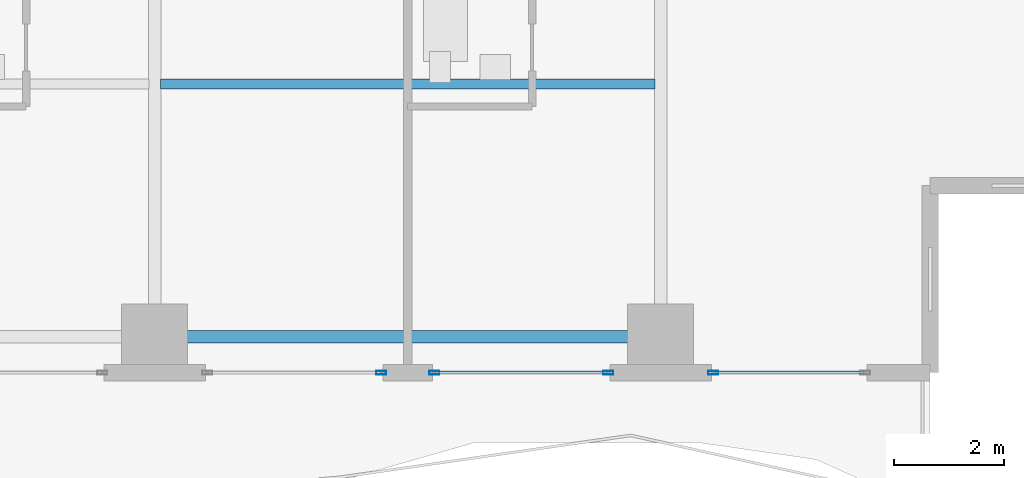
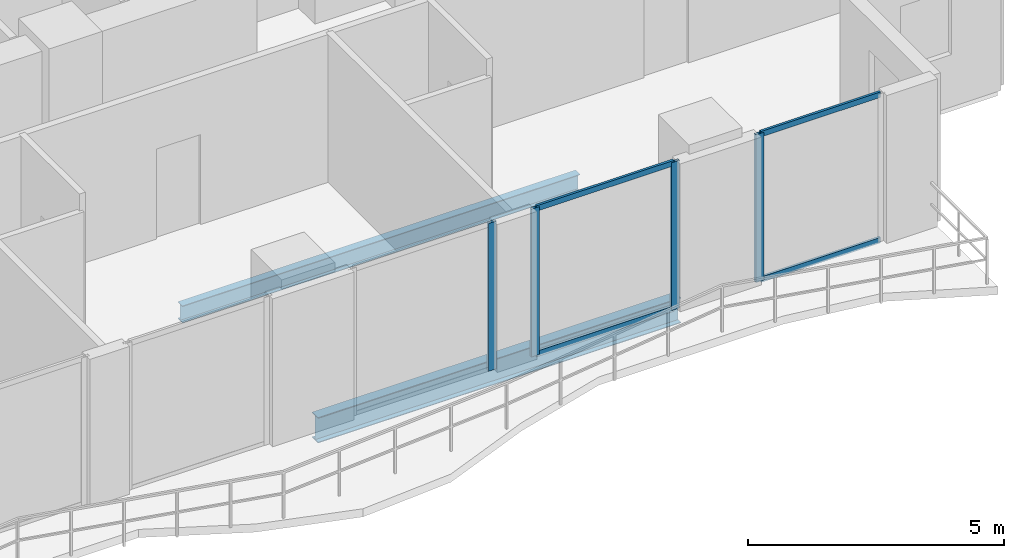
# One storey, part 9 of 33: 8 members, 2 beams, 3 elements without a shape of their own.
"""IFC4 building model written with IfcOpenShell, lengths in metres."""

from ifc_helpers import new_model, si_unit, direction, frame, origin, origin_2d, place, context, subcontext, project, spatial, hollow_rectangle, i_section, extrude, material, layer, layer_set, material_profile, profile_set, type_object, element, aggregate, save


model = new_model("IFC4")

# Units and contexts
model_context = context("Model", 3, precision=1e-05, world=origin(), true_north=direction((0.0, 1.0)))
body_context = subcontext(model_context, "Body", "Model", "MODEL_VIEW")
ifc_project = project(units=[si_unit("LENGTHUNIT", "METRE"), si_unit("AREAUNIT", "SQUARE_METRE"), si_unit("VOLUMEUNIT", "CUBIC_METRE"), si_unit("PLANEANGLEUNIT", "RADIAN"), si_unit("MASSUNIT", "GRAM", prefix="KILO")], contexts=[model_context])

# Site, building, storey
site_placement = place(None, origin())
site = spatial("IfcSite", under=ifc_project, at=site_placement, CompositionType="ELEMENT")
building_placement = place(site_placement, origin())
building = spatial("IfcBuilding", under=site, at=building_placement, Name="Zuhayl Quay Hotel", CompositionType="ELEMENT")
storey_placement = place(building_placement, frame((0.0, 0.0, 222.39990234375)))
storey = spatial("IfcBuildingStorey", under=building, at=storey_placement, Name="L56", CompositionType="ELEMENT", Elevation=222.39990234375)

# Beams
ifc_material_1 = material(Name="Steel ASTM A992 Grade 50", Category="steel")
ifc_material_profile_1 = material_profile(ifc_material_1, i_section(OverallWidth=0.22802734375, OverallDepth=0.60693359375, WebThickness=0.01123046875, FlangeThickness=0.017333984375, at=origin_2d()), Name="W24X76")
ifc_profile_set_1 = profile_set([ifc_material_profile_1], Name="Steel ASTM A992 Grade 50")
beam_type_1 = type_object("IfcBeamType", Name="BM_B3_W24X76", PredefinedType="BEAM", material=ifc_profile_set_1)
beam_1_placement = place(storey_placement, frame((5.10009765625, -6.949951171875, -0.5234375), z_axis=(1.0, 0.0, 0.0), x_axis=(0.0, 1.0, 0.0)))
element("IfcBeam", 1, at=beam_1_placement, inside=storey, type_object=beam_type_1, Name="L56 Floor Beam RG_L56_03", PredefinedType="BEAM", context=body_context, shape_type="SweptSolid", body=[
    extrude(i_section(OverallWidth=0.22802734375, OverallDepth=0.60693359375, WebThickness=0.01123046875, FlangeThickness=0.017333984375, at=origin_2d()), origin(), (0.0, 0.0, 1.0), 8.199951171875),
])
ifc_material_profile_2 = material_profile(ifc_material_1, i_section(OverallWidth=0.177978515625, OverallDepth=0.406005859375, WebThickness=0.0078125, FlangeThickness=0.0126953125, at=origin_2d()), Name="W16X40")
ifc_profile_set_2 = profile_set([ifc_material_profile_2], Name="Steel ASTM A992 Grade 50")
beam_type_2 = type_object("IfcBeamType", Name="BM_J2B_W16X40", PredefinedType="JOIST", material=ifc_profile_set_2)
beam_2_placement = place(storey_placement, frame((4.7060546875, -2.35009765625, -0.4228515625), z_axis=(1.0, 0.0, 0.0), x_axis=(0.0, 1.0, 0.0)))
element("IfcBeam", 2, at=beam_2_placement, inside=storey, type_object=beam_type_2, Name="L56 Floor Beam FJ_L56_7_3", PredefinedType="JOIST", context=body_context, shape_type="SweptSolid", body=[
    extrude(i_section(OverallWidth=0.177978515625, OverallDepth=0.406005859375, WebThickness=0.0078125, FlangeThickness=0.0126953125, at=origin_2d()), origin(), (0.0, 0.0, 1.0), 8.988037109375),
])

# Curtain wall, member
ifc_material_2 = material(Name="Anodised Aluminium 6063-T6", Category="aluminium")
ifc_layer = layer(ifc_material_2, 0.175048828125, Name="Anodised Aluminium 6063-T6", Category="aluminium")
ifc_layer_set = layer_set([ifc_layer], Name="Anodised Aluminium 6063-T6")
curtain_wall_type = type_object("IfcCurtainWallType", Name="CW_SYS_Z3", PredefinedType="USERDEFINED", material=ifc_layer_set)
curtain_wall_1_placement = place(storey_placement, origin())
curtain_wall_1 = element("IfcCurtainWall", 3, at=curtain_wall_1_placement, inside=storey, type_object=curtain_wall_type, Name="L56 Curtain Wall ENV_L56_S_CW1", ObjectType="UNITISED CURTAIN WALL", PredefinedType="USERDEFINED")
ifc_material_3 = material(Name="Black-anodised aluminium 6063-T6", Category="aluminium")
ifc_material_profile_3 = material_profile(ifc_material_3, hollow_rectangle(XDim=0.06494140625, YDim=0.179931640625, WallThickness=0.00341796875, at=origin_2d()), Name="ALU180X65")
ifc_profile_set_3 = profile_set([ifc_material_profile_3], Name="Black-anodised aluminium 6063-T6")
member_type_1 = type_object("IfcMemberType", Name="MB_CW_MUL_180", PredefinedType="MULLION", material=ifc_profile_set_3)
member_1_placement = place(storey_placement, frame((14.75244140625, -7.60009765625, 0.0), z_axis=(0.0, 0.0, 1.0), x_axis=(0.0, -1.0, 0.0)))
member_1 = element("IfcMember", 4, at=member_1_placement, type_object=member_type_1, Name="CW-Z3 mullion 2", PredefinedType="MULLION", context=body_context, shape_type="SweptSolid", body=[
    extrude(hollow_rectangle(XDim=0.06494140625, YDim=0.179931640625, WallThickness=0.00341796875, at=origin_2d()), origin(), (0.0, 0.0, 1.0), 3.530029296875),
])

# Curtain wall, members
curtain_wall_2_placement = place(storey_placement, origin())
curtain_wall_2 = element("IfcCurtainWall", 5, at=curtain_wall_2_placement, inside=storey, type_object=curtain_wall_type, Name="L56 Curtain Wall ENV_L56_S_CW2", ObjectType="UNITISED CURTAIN WALL", PredefinedType="USERDEFINED")
member_2_placement = place(storey_placement, frame((12.847412109375, -7.60009765625, 0.0), z_axis=(0.0, 0.0, 1.0), x_axis=(0.0, -1.0, 0.0)))
member_2 = element("IfcMember", 6, at=member_2_placement, type_object=member_type_1, Name="CW-Z3 mullion 1", PredefinedType="MULLION", context=body_context, shape_type="SweptSolid", body=[
    extrude(hollow_rectangle(XDim=0.06494140625, YDim=0.179931640625, WallThickness=0.00341796875, at=origin_2d()), origin(), (0.0, 0.0, 1.0), 3.530029296875),
])
member_3_placement = place(storey_placement, frame((9.6826171875, -7.60009765625, 0.0), z_axis=(0.0, 0.0, 1.0), x_axis=(0.0, -1.0, 0.0)))
member_3 = element("IfcMember", 7, at=member_3_placement, type_object=member_type_1, Name="CW-Z3 mullion 2", PredefinedType="MULLION", context=body_context, shape_type="SweptSolid", body=[
    extrude(hollow_rectangle(XDim=0.06494140625, YDim=0.179931640625, WallThickness=0.00341796875, at=origin_2d()), origin(), (0.0, 0.0, 1.0), 3.530029296875),
])

# Curtain wall, member
curtain_wall_3_placement = place(storey_placement, origin())
curtain_wall_3 = element("IfcCurtainWall", 8, at=curtain_wall_3_placement, inside=storey, type_object=curtain_wall_type, Name="L56 Curtain Wall ENV_L56_S_CW3", ObjectType="UNITISED CURTAIN WALL", PredefinedType="USERDEFINED")
member_4_placement = place(storey_placement, frame((8.717529296875, -7.60009765625, 0.0), z_axis=(0.0, 0.0, 1.0), x_axis=(0.0, -1.0, 0.0)))
member_4 = element("IfcMember", 9, at=member_4_placement, type_object=member_type_1, Name="CW-Z3 mullion 1", PredefinedType="MULLION", context=body_context, shape_type="SweptSolid", body=[
    extrude(hollow_rectangle(XDim=0.06494140625, YDim=0.179931640625, WallThickness=0.00341796875, at=origin_2d()), origin(), (0.0, 0.0, 1.0), 3.530029296875),
])
aggregate(curtain_wall_3, [member_4])

# Member
ifc_material_profile_4 = material_profile(ifc_material_3, hollow_rectangle(XDim=0.054931640625, YDim=0.1298828125, WallThickness=0.0029296875, at=origin_2d()), Name="ALU130X55")
ifc_profile_set_4 = profile_set([ifc_material_profile_4], Name="Black-anodised aluminium 6063-T6")
member_type_2 = type_object("IfcMemberType", Name="MB_CW_TRN_130", PredefinedType="USERDEFINED", material=ifc_profile_set_4)
member_5_placement = place(storey_placement, frame((17.485107421875, -7.60009765625, 0.027587890625), z_axis=(-1.0, 0.0, 0.0), x_axis=(0.0, -1.0, 0.0)))
member_5 = element("IfcMember", 10, at=member_5_placement, type_object=member_type_2, Name="CW-Z3 transom 1.1", ObjectType="TRANSOM", PredefinedType="USERDEFINED", context=body_context, shape_type="SweptSolid", body=[
    extrude(hollow_rectangle(XDim=0.054931640625, YDim=0.1298828125, WallThickness=0.0029296875, at=origin_2d()), origin(), (0.0, 0.0, 1.0), 2.7001953125),
])

member_6_placement = place(storey_placement, frame((17.485107421875, -7.60009765625, 3.502685546875), z_axis=(-1.0, 0.0, 0.0), x_axis=(0.0, -1.0, 0.0)))
member_6 = element("IfcMember", 11, at=member_6_placement, type_object=member_type_2, Name="CW-Z3 transom 1.2", ObjectType="TRANSOM", PredefinedType="USERDEFINED", context=body_context, shape_type="SweptSolid", body=[
    extrude(hollow_rectangle(XDim=0.054931640625, YDim=0.1298828125, WallThickness=0.0029296875, at=origin_2d()), origin(), (0.0, 0.0, 1.0), 2.7001953125),
])

aggregate(curtain_wall_1, [member_1, member_5, member_6])

member_7_placement = place(storey_placement, frame((12.81494140625, -7.60009765625, 0.027587890625), z_axis=(-1.0, 0.0, 0.0), x_axis=(0.0, -1.0, 0.0)))
member_7 = element("IfcMember", 12, at=member_7_placement, type_object=member_type_2, Name="CW-Z3 transom 1.1", ObjectType="TRANSOM", PredefinedType="USERDEFINED", context=body_context, shape_type="SweptSolid", body=[
    extrude(hollow_rectangle(XDim=0.054931640625, YDim=0.1298828125, WallThickness=0.0029296875, at=origin_2d()), origin(), (0.0, 0.0, 1.0), 3.099853515625),
])

member_8_placement = place(storey_placement, frame((12.81494140625, -7.60009765625, 3.502685546875), z_axis=(-1.0, 0.0, 0.0), x_axis=(0.0, -1.0, 0.0)))
member_8 = element("IfcMember", 13, at=member_8_placement, type_object=member_type_2, Name="CW-Z3 transom 1.2", ObjectType="TRANSOM", PredefinedType="USERDEFINED", context=body_context, shape_type="SweptSolid", body=[
    extrude(hollow_rectangle(XDim=0.054931640625, YDim=0.1298828125, WallThickness=0.0029296875, at=origin_2d()), origin(), (0.0, 0.0, 1.0), 3.099853515625),
])

aggregate(curtain_wall_2, [member_2, member_3, member_7, member_8])

save(model, "model.ifc")
